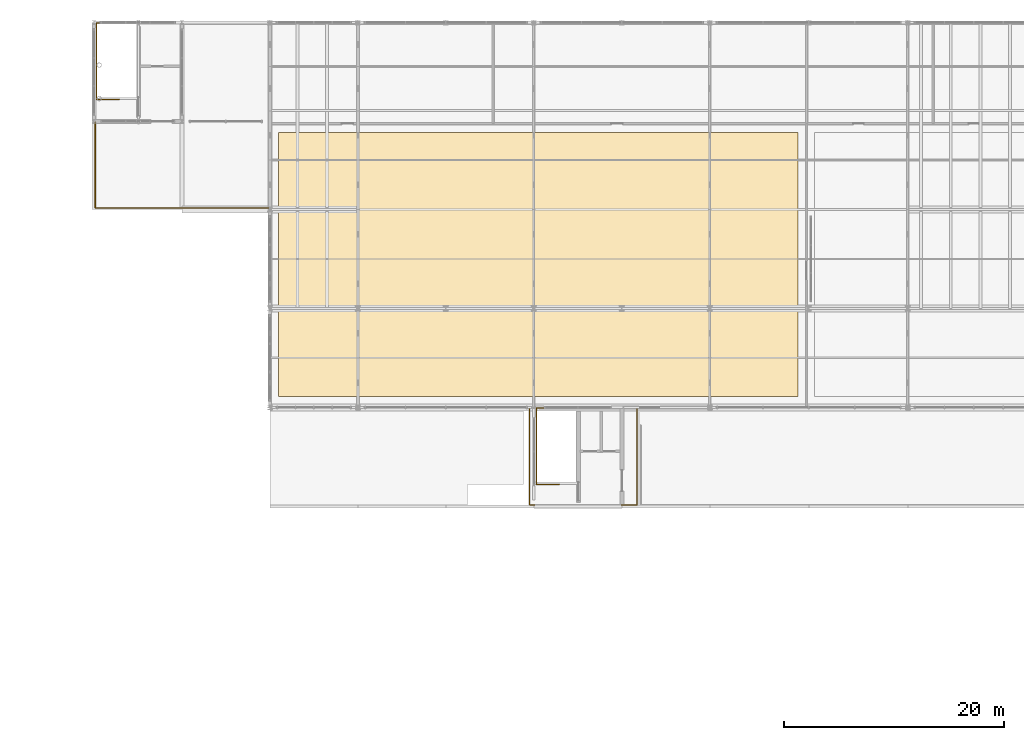
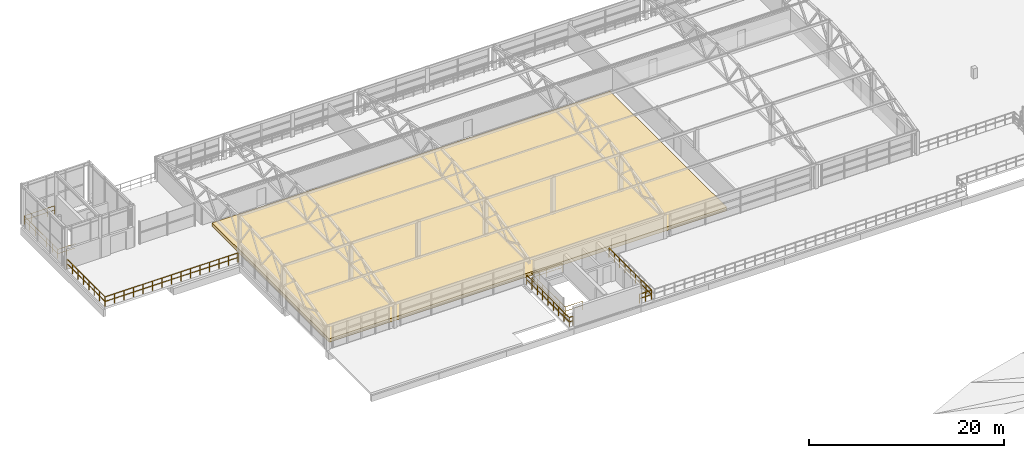
# One storey, part 44 of 50: 5 railings, 1 covering.
"""IFC4 building model written with IfcOpenShell, lengths in metres."""

from ifc_helpers import new_model, si_unit, derived_unit, direction, frame, origin, origin_2d, place, context, subcontext, project, spatial, polyline, circle, outline, extrude, material, layer, layer_set, type_object, element, save


model = new_model("IFC4")

# Units and contexts
model_context = context("Model", 3, precision=1e-05, world=origin(), true_north=direction((0.0, 1.0)))
body_context = subcontext(model_context, "Body", "Model", "MODEL_VIEW")
ifc_project = project(units=[si_unit("LENGTHUNIT", "METRE"), si_unit("AREAUNIT", "SQUARE_METRE"), si_unit("VOLUMEUNIT", "CUBIC_METRE"), si_unit("PLANEANGLEUNIT", "RADIAN"), si_unit("MASSUNIT", "GRAM", prefix="KILO"), si_unit("THERMODYNAMICTEMPERATUREUNIT", "KELVIN"), derived_unit("THERMALTRANSMITTANCEUNIT", [(si_unit("POWERUNIT", "WATT"), 1), (si_unit("AREAUNIT", "SQUARE_METRE"), -1), (si_unit("THERMODYNAMICTEMPERATUREUNIT", "KELVIN"), -1)])], contexts=[model_context])

# Site, building, storey
site_placement = place(None, origin())
site = spatial("IfcSite", under=ifc_project, at=site_placement, CompositionType="ELEMENT")
building_placement = place(site_placement, origin())
building = spatial("IfcBuilding", under=site, at=building_placement, Name="Haiyu Intermodal Mobility Hub", CompositionType="ELEMENT")
storey_placement = place(building_placement, frame((0.0, 0.0, 25.10009765625)))
storey = spatial("IfcBuildingStorey", under=building, at=storey_placement, Name="L06", CompositionType="ELEMENT", Elevation=25.10009765625)

# Covering
ifc_material_1 = material(Name="Planted bioretention substrate")
ifc_layer = layer(ifc_material_1, 0.449951171875)
ifc_layer_set = layer_set([ifc_layer], Name="Planted bioretention substrate")
covering_type = type_object("IfcCoveringType", Name="COV-CV05", PredefinedType="ROOFING", material=ifc_layer_set)
covering_placement = place(storey_placement, origin())
element("IfcCovering", 1, at=covering_placement, inside=storey, type_object=covering_type, Name="COV-FLR-006", PredefinedType="ROOFING", context=body_context, shape_type="SweptSolid", body=[
    extrude(outline(polyline([(38.800048828125, 114.0), (86.0, 114.0), (86.0, 138.0), (38.800048828125, 138.0), (38.800048828125, 114.0)])), origin(), (0.0, 0.0, 1.0), 0.449951171875),
])

# Railings
ifc_material_2 = material(Name="Steel Q355C", Category="steel")
railing_type_1 = type_object("IfcRailingType", Name="RAL-GR01", PredefinedType="GUARDRAIL", material=ifc_material_2)
railing_1_placement = place(storey_placement, frame((22.1201171875, 138.949951171875, 0.0)))
element("IfcRailing", 2, at=railing_1_placement, inside=storey, type_object=railing_type_1, Name="L06 Sports Pavilion Core C3 Access Wing Guard", PredefinedType="GUARDRAIL", context=body_context, shape_type="SweptSolid", body=[
    extrude(circle(Radius=0.02392578125, at=origin_2d()), frame((0.0, -0.030029296875, 1.17578125), z_axis=(0.0, -1.0, 0.0), x_axis=(1.0, 0.0, 0.0)), (0.0, 0.0, 1.0), 7.769775390625),
    extrude(circle(Radius=0.02392578125, at=origin_2d()), frame((0.0, -0.037353515625, 0.60009765625), z_axis=(0.0, -1.0, 0.0), x_axis=(1.0, 0.0, 0.0)), (0.0, 0.0, 1.0), 1.0439453125),
    extrude(circle(Radius=0.02392578125, at=origin_2d()), frame((0.0, -1.15576171875, 0.60009765625), z_axis=(0.0, -1.0, 0.0), x_axis=(1.0, 0.0, 0.0)), (0.0, 0.0, 1.0), 1.0439453125),
    extrude(circle(Radius=0.02392578125, at=origin_2d()), frame((0.0, -2.2744140625, 0.60009765625), z_axis=(0.0, -1.0, 0.0), x_axis=(1.0, 0.0, 0.0)), (0.0, 0.0, 1.0), 1.0439453125),
    extrude(circle(Radius=0.02392578125, at=origin_2d()), frame((0.0, -3.392822265625, 0.60009765625), z_axis=(0.0, -1.0, 0.0), x_axis=(1.0, 0.0, 0.0)), (0.0, 0.0, 1.0), 1.0439453125),
    extrude(circle(Radius=0.02392578125, at=origin_2d()), frame((0.0, -4.511474609375, 0.60009765625), z_axis=(0.0, -1.0, 0.0), x_axis=(1.0, 0.0, 0.0)), (0.0, 0.0, 1.0), 1.0439453125),
    extrude(circle(Radius=0.02392578125, at=origin_2d()), frame((0.0, -5.630126953125, 0.60009765625), z_axis=(0.0, -1.0, 0.0), x_axis=(1.0, 0.0, 0.0)), (0.0, 0.0, 1.0), 1.0439453125),
    extrude(circle(Radius=0.02392578125, at=origin_2d()), frame((0.0, -6.74853515625, 0.60009765625), z_axis=(0.0, -1.0, 0.0), x_axis=(1.0, 0.0, 0.0)), (0.0, 0.0, 1.0), 1.0439453125),
    extrude(circle(Radius=0.02392578125, at=origin_2d()), frame((0.030029296875, -7.829833984375, 1.17578125), z_axis=(1.0, 0.0, 0.0), x_axis=(0.0, 1.0, 0.0)), (0.0, 0.0, 1.0), 15.69970703125),
    extrude(circle(Radius=0.02392578125, at=origin_2d()), frame((0.037353515625, -7.829833984375, 0.60009765625), z_axis=(1.0, 0.0, 0.0), x_axis=(0.0, 1.0, 0.0)), (0.0, 0.0, 1.0), 1.051025390625),
    extrude(circle(Radius=0.02392578125, at=origin_2d()), frame((1.1630859375, -7.829833984375, 0.60009765625), z_axis=(1.0, 0.0, 0.0), x_axis=(0.0, 1.0, 0.0)), (0.0, 0.0, 1.0), 1.051025390625),
    extrude(circle(Radius=0.02392578125, at=origin_2d()), frame((2.28857421875, -7.829833984375, 0.60009765625), z_axis=(1.0, 0.0, 0.0), x_axis=(0.0, 1.0, 0.0)), (0.0, 0.0, 1.0), 1.051025390625),
    extrude(circle(Radius=0.02392578125, at=origin_2d()), frame((3.414306640625, -7.829833984375, 0.60009765625), z_axis=(1.0, 0.0, 0.0), x_axis=(0.0, 1.0, 0.0)), (0.0, 0.0, 1.0), 1.051025390625),
    extrude(circle(Radius=0.02392578125, at=origin_2d()), frame((4.5400390625, -7.829833984375, 0.60009765625), z_axis=(1.0, 0.0, 0.0), x_axis=(0.0, 1.0, 0.0)), (0.0, 0.0, 1.0), 1.051025390625),
    extrude(circle(Radius=0.02392578125, at=origin_2d()), frame((5.665771484375, -7.829833984375, 0.60009765625), z_axis=(1.0, 0.0, 0.0), x_axis=(0.0, 1.0, 0.0)), (0.0, 0.0, 1.0), 1.051025390625),
    extrude(circle(Radius=0.02392578125, at=origin_2d()), frame((6.79150390625, -7.829833984375, 0.60009765625), z_axis=(1.0, 0.0, 0.0), x_axis=(0.0, 1.0, 0.0)), (0.0, 0.0, 1.0), 1.051025390625),
    extrude(circle(Radius=0.02392578125, at=origin_2d()), frame((7.917236328125, -7.829833984375, 0.60009765625), z_axis=(1.0, 0.0, 0.0), x_axis=(0.0, 1.0, 0.0)), (0.0, 0.0, 1.0), 1.051025390625),
    extrude(circle(Radius=0.02392578125, at=origin_2d()), frame((9.04296875, -7.829833984375, 0.60009765625), z_axis=(1.0, 0.0, 0.0), x_axis=(0.0, 1.0, 0.0)), (0.0, 0.0, 1.0), 1.051025390625),
    extrude(circle(Radius=0.02392578125, at=origin_2d()), frame((10.16845703125, -7.829833984375, 0.60009765625), z_axis=(1.0, 0.0, 0.0), x_axis=(0.0, 1.0, 0.0)), (0.0, 0.0, 1.0), 1.051025390625),
    extrude(circle(Radius=0.02392578125, at=origin_2d()), frame((11.294189453125, -7.829833984375, 0.60009765625), z_axis=(1.0, 0.0, 0.0), x_axis=(0.0, 1.0, 0.0)), (0.0, 0.0, 1.0), 1.051025390625),
    extrude(circle(Radius=0.02392578125, at=origin_2d()), frame((12.419921875, -7.829833984375, 0.60009765625), z_axis=(1.0, 0.0, 0.0), x_axis=(0.0, 1.0, 0.0)), (0.0, 0.0, 1.0), 1.051025390625),
    extrude(circle(Radius=0.02392578125, at=origin_2d()), frame((13.545654296875, -7.829833984375, 0.60009765625), z_axis=(1.0, 0.0, 0.0), x_axis=(0.0, 1.0, 0.0)), (0.0, 0.0, 1.0), 1.051025390625),
    extrude(circle(Radius=0.02392578125, at=origin_2d()), frame((14.67138671875, -7.829833984375, 0.60009765625), z_axis=(1.0, 0.0, 0.0), x_axis=(0.0, 1.0, 0.0)), (0.0, 0.0, 1.0), 1.051025390625),
    extrude(circle(Radius=0.02099609375, at=origin_2d()), origin(), (0.0, 0.0, 1.0), 1.143798828125),
    extrude(circle(Radius=0.02099609375, at=origin_2d()), frame((0.0, -1.11865234375, 0.0)), (0.0, 0.0, 1.0), 1.143798828125),
    extrude(circle(Radius=0.02099609375, at=origin_2d()), frame((0.0, -2.237060546875, 0.0)), (0.0, 0.0, 1.0), 1.143798828125),
    extrude(circle(Radius=0.02099609375, at=origin_2d()), frame((0.0, -3.355712890625, 0.0)), (0.0, 0.0, 1.0), 1.143798828125),
    extrude(circle(Radius=0.02099609375, at=origin_2d()), frame((0.0, -4.47412109375, 0.0)), (0.0, 0.0, 1.0), 1.143798828125),
    extrude(circle(Radius=0.02099609375, at=origin_2d()), frame((0.0, -5.5927734375, 0.0)), (0.0, 0.0, 1.0), 1.143798828125),
    extrude(circle(Radius=0.02099609375, at=origin_2d()), frame((0.0, -6.711181640625, 0.0)), (0.0, 0.0, 1.0), 1.143798828125),
    extrude(circle(Radius=0.02099609375, at=origin_2d()), frame((0.0, -7.829833984375, 0.0)), (0.0, 0.0, 1.0), 1.143798828125),
    extrude(circle(Radius=0.02099609375, at=origin_2d()), frame((1.125732421875, -7.829833984375, 0.0)), (0.0, 0.0, 1.0), 1.143798828125),
    extrude(circle(Radius=0.02099609375, at=origin_2d()), frame((2.25146484375, -7.829833984375, 0.0)), (0.0, 0.0, 1.0), 1.143798828125),
    extrude(circle(Radius=0.02099609375, at=origin_2d()), frame((3.377197265625, -7.829833984375, 0.0)), (0.0, 0.0, 1.0), 1.143798828125),
    extrude(circle(Radius=0.02099609375, at=origin_2d()), frame((4.502685546875, -7.829833984375, 0.0)), (0.0, 0.0, 1.0), 1.143798828125),
    extrude(circle(Radius=0.02099609375, at=origin_2d()), frame((5.62841796875, -7.829833984375, 0.0)), (0.0, 0.0, 1.0), 1.143798828125),
    extrude(circle(Radius=0.02099609375, at=origin_2d()), frame((6.754150390625, -7.829833984375, 0.0)), (0.0, 0.0, 1.0), 1.143798828125),
    extrude(circle(Radius=0.02099609375, at=origin_2d()), frame((7.8798828125, -7.829833984375, 0.0)), (0.0, 0.0, 1.0), 1.143798828125),
    extrude(circle(Radius=0.02099609375, at=origin_2d()), frame((9.005615234375, -7.829833984375, 0.0)), (0.0, 0.0, 1.0), 1.143798828125),
    extrude(circle(Radius=0.02099609375, at=origin_2d()), frame((10.13134765625, -7.829833984375, 0.0)), (0.0, 0.0, 1.0), 1.143798828125),
    extrude(circle(Radius=0.02099609375, at=origin_2d()), frame((11.257080078125, -7.829833984375, 0.0)), (0.0, 0.0, 1.0), 1.143798828125),
    extrude(circle(Radius=0.02099609375, at=origin_2d()), frame((12.382568359375, -7.829833984375, 0.0)), (0.0, 0.0, 1.0), 1.143798828125),
    extrude(circle(Radius=0.02099609375, at=origin_2d()), frame((13.50830078125, -7.829833984375, 0.0)), (0.0, 0.0, 1.0), 1.143798828125),
    extrude(circle(Radius=0.02099609375, at=origin_2d()), frame((14.634033203125, -7.829833984375, 0.0)), (0.0, 0.0, 1.0), 1.143798828125),
    extrude(circle(Radius=0.02099609375, at=origin_2d()), frame((15.759765625, -7.829833984375, 0.0)), (0.0, 0.0, 1.0), 1.143798828125),
])
railing_type_2 = type_object("IfcRailingType", Name="RAL-GR02", PredefinedType="GUARDRAIL", material=ifc_material_2)
railing_2_placement = place(storey_placement, frame((61.6201171875, 112.8798828125, 0.0)))
element("IfcRailing", 3, at=railing_2_placement, inside=storey, type_object=railing_type_2, Name="L06 Core C5 West Terrace Guard", PredefinedType="GUARDRAIL", context=body_context, shape_type="SweptSolid", body=[
    extrude(circle(Radius=0.02392578125, at=origin_2d()), frame((0.0, -0.030029296875, 1.1259765625), z_axis=(0.0, -1.0, 0.0), x_axis=(1.0, 0.0, 0.0)), (0.0, 0.0, 1.0), 8.679931640625),
    extrude(circle(Radius=0.02392578125, at=origin_2d()), frame((0.0, -0.037353515625, 0.574951171875), z_axis=(0.0, -1.0, 0.0), x_axis=(1.0, 0.0, 0.0)), (0.0, 0.0, 1.0), 1.017822265625),
    extrude(circle(Radius=0.02392578125, at=origin_2d()), frame((0.0, -1.1298828125, 0.574951171875), z_axis=(0.0, -1.0, 0.0), x_axis=(1.0, 0.0, 0.0)), (0.0, 0.0, 1.0), 1.017822265625),
    extrude(circle(Radius=0.02392578125, at=origin_2d()), frame((0.0, -2.222412109375, 0.574951171875), z_axis=(0.0, -1.0, 0.0), x_axis=(1.0, 0.0, 0.0)), (0.0, 0.0, 1.0), 1.017822265625),
    extrude(circle(Radius=0.02392578125, at=origin_2d()), frame((0.0, -3.314697265625, 0.574951171875), z_axis=(0.0, -1.0, 0.0), x_axis=(1.0, 0.0, 0.0)), (0.0, 0.0, 1.0), 1.017822265625),
    extrude(circle(Radius=0.02392578125, at=origin_2d()), frame((0.0, -4.4072265625, 0.574951171875), z_axis=(0.0, -1.0, 0.0), x_axis=(1.0, 0.0, 0.0)), (0.0, 0.0, 1.0), 1.017822265625),
    extrude(circle(Radius=0.02392578125, at=origin_2d()), frame((0.0, -5.499755859375, 0.574951171875), z_axis=(0.0, -1.0, 0.0), x_axis=(1.0, 0.0, 0.0)), (0.0, 0.0, 1.0), 1.017822265625),
    extrude(circle(Radius=0.02392578125, at=origin_2d()), frame((0.0, -6.59228515625, 0.574951171875), z_axis=(0.0, -1.0, 0.0), x_axis=(1.0, 0.0, 0.0)), (0.0, 0.0, 1.0), 1.017822265625),
    extrude(circle(Radius=0.02392578125, at=origin_2d()), frame((0.0, -7.684814453125, 0.574951171875), z_axis=(0.0, -1.0, 0.0), x_axis=(1.0, 0.0, 0.0)), (0.0, 0.0, 1.0), 1.017822265625),
    extrude(circle(Radius=0.02392578125, at=origin_2d()), frame((0.030029296875, -8.739990234375, 1.1259765625), z_axis=(1.0, 0.0, 0.0), x_axis=(0.0, 1.0, 0.0)), (0.0, 0.0, 1.0), 0.369873046875),
    extrude(circle(Radius=0.02392578125, at=origin_2d()), frame((0.037353515625, -8.739990234375, 0.574951171875), z_axis=(1.0, 0.0, 0.0), x_axis=(0.0, 1.0, 0.0)), (0.0, 0.0, 1.0), 0.355224609375),
    extrude(circle(Radius=0.02099609375, at=origin_2d()), origin(), (0.0, 0.0, 1.0), 1.09375),
    extrude(circle(Radius=0.02099609375, at=origin_2d()), frame((0.0, -1.092529296875, 0.0)), (0.0, 0.0, 1.0), 1.09375),
    extrude(circle(Radius=0.02099609375, at=origin_2d()), frame((0.0, -2.18505859375, 0.0)), (0.0, 0.0, 1.0), 1.09375),
    extrude(circle(Radius=0.02099609375, at=origin_2d()), frame((0.0, -3.277587890625, 0.0)), (0.0, 0.0, 1.0), 1.09375),
    extrude(circle(Radius=0.02099609375, at=origin_2d()), frame((0.0, -4.3701171875, 0.0)), (0.0, 0.0, 1.0), 1.09375),
    extrude(circle(Radius=0.02099609375, at=origin_2d()), frame((0.0, -5.46240234375, 0.0)), (0.0, 0.0, 1.0), 1.09375),
    extrude(circle(Radius=0.02099609375, at=origin_2d()), frame((0.0, -6.554931640625, 0.0)), (0.0, 0.0, 1.0), 1.09375),
    extrude(circle(Radius=0.02099609375, at=origin_2d()), frame((0.0, -7.6474609375, 0.0)), (0.0, 0.0, 1.0), 1.09375),
    extrude(circle(Radius=0.02099609375, at=origin_2d()), frame((0.0, -8.739990234375, 0.0)), (0.0, 0.0, 1.0), 1.09375),
    extrude(circle(Radius=0.02099609375, at=origin_2d()), frame((0.429931640625, -8.739990234375, 0.0)), (0.0, 0.0, 1.0), 1.09375),
])
railing_3_placement = place(storey_placement, frame((69.949951171875, 104.139892578125, 0.0)))
element("IfcRailing", 4, at=railing_3_placement, inside=storey, type_object=railing_type_2, Name="L06 Core C5 East Terrace Guard", PredefinedType="GUARDRAIL", context=body_context, shape_type="SweptSolid", body=[
    extrude(circle(Radius=0.02392578125, at=origin_2d()), frame((0.030029296875, 0.0, 1.1259765625), z_axis=(1.0, 0.0, 0.0), x_axis=(0.0, 1.0, 0.0)), (0.0, 0.0, 1.0), 1.369873046875),
    extrude(circle(Radius=0.02392578125, at=origin_2d()), frame((0.037353515625, 0.0, 0.574951171875), z_axis=(1.0, 0.0, 0.0), x_axis=(0.0, 1.0, 0.0)), (0.0, 0.0, 1.0), 0.640380859375),
    extrude(circle(Radius=0.02392578125, at=origin_2d()), frame((0.752197265625, 0.0, 0.574951171875), z_axis=(1.0, 0.0, 0.0), x_axis=(0.0, 1.0, 0.0)), (0.0, 0.0, 1.0), 0.640380859375),
    extrude(circle(Radius=0.02392578125, at=origin_2d()), frame((1.429931640625, 0.030029296875, 1.1259765625), z_axis=(0.0, 1.0, 0.0), x_axis=(-1.0, 0.0, 0.0)), (0.0, 0.0, 1.0), 8.679931640625),
    extrude(circle(Radius=0.02392578125, at=origin_2d()), frame((1.429931640625, 0.037353515625, 0.574951171875), z_axis=(0.0, 1.0, 0.0), x_axis=(-1.0, 0.0, 0.0)), (0.0, 0.0, 1.0), 1.017822265625),
    extrude(circle(Radius=0.02392578125, at=origin_2d()), frame((1.429931640625, 1.1298828125, 0.574951171875), z_axis=(0.0, 1.0, 0.0), x_axis=(-1.0, 0.0, 0.0)), (0.0, 0.0, 1.0), 1.017822265625),
    extrude(circle(Radius=0.02392578125, at=origin_2d()), frame((1.429931640625, 2.222412109375, 0.574951171875), z_axis=(0.0, 1.0, 0.0), x_axis=(-1.0, 0.0, 0.0)), (0.0, 0.0, 1.0), 1.017822265625),
    extrude(circle(Radius=0.02392578125, at=origin_2d()), frame((1.429931640625, 3.314697265625, 0.574951171875), z_axis=(0.0, 1.0, 0.0), x_axis=(-1.0, 0.0, 0.0)), (0.0, 0.0, 1.0), 1.017822265625),
    extrude(circle(Radius=0.02392578125, at=origin_2d()), frame((1.429931640625, 4.4072265625, 0.574951171875), z_axis=(0.0, 1.0, 0.0), x_axis=(-1.0, 0.0, 0.0)), (0.0, 0.0, 1.0), 1.017822265625),
    extrude(circle(Radius=0.02392578125, at=origin_2d()), frame((1.429931640625, 5.499755859375, 0.574951171875), z_axis=(0.0, 1.0, 0.0), x_axis=(-1.0, 0.0, 0.0)), (0.0, 0.0, 1.0), 1.017822265625),
    extrude(circle(Radius=0.02392578125, at=origin_2d()), frame((1.429931640625, 6.59228515625, 0.574951171875), z_axis=(0.0, 1.0, 0.0), x_axis=(-1.0, 0.0, 0.0)), (0.0, 0.0, 1.0), 1.017822265625),
    extrude(circle(Radius=0.02392578125, at=origin_2d()), frame((1.429931640625, 7.684814453125, 0.574951171875), z_axis=(0.0, 1.0, 0.0), x_axis=(-1.0, 0.0, 0.0)), (0.0, 0.0, 1.0), 1.017822265625),
    extrude(circle(Radius=0.02099609375, at=origin_2d()), origin(), (0.0, 0.0, 1.0), 1.09375),
    extrude(circle(Radius=0.02099609375, at=origin_2d()), frame((0.71484375, 0.0, 0.0)), (0.0, 0.0, 1.0), 1.09375),
    extrude(circle(Radius=0.02099609375, at=origin_2d()), frame((1.429931640625, 0.0, 0.0)), (0.0, 0.0, 1.0), 1.09375),
    extrude(circle(Radius=0.02099609375, at=origin_2d()), frame((1.429931640625, 1.092529296875, 0.0)), (0.0, 0.0, 1.0), 1.09375),
    extrude(circle(Radius=0.02099609375, at=origin_2d()), frame((1.429931640625, 2.18505859375, 0.0)), (0.0, 0.0, 1.0), 1.09375),
    extrude(circle(Radius=0.02099609375, at=origin_2d()), frame((1.429931640625, 3.277587890625, 0.0)), (0.0, 0.0, 1.0), 1.09375),
    extrude(circle(Radius=0.02099609375, at=origin_2d()), frame((1.429931640625, 4.3701171875, 0.0)), (0.0, 0.0, 1.0), 1.09375),
    extrude(circle(Radius=0.02099609375, at=origin_2d()), frame((1.429931640625, 5.46240234375, 0.0)), (0.0, 0.0, 1.0), 1.09375),
    extrude(circle(Radius=0.02099609375, at=origin_2d()), frame((1.429931640625, 6.554931640625, 0.0)), (0.0, 0.0, 1.0), 1.09375),
    extrude(circle(Radius=0.02099609375, at=origin_2d()), frame((1.429931640625, 7.6474609375, 0.0)), (0.0, 0.0, 1.0), 1.09375),
    extrude(circle(Radius=0.02099609375, at=origin_2d()), frame((1.429931640625, 8.739990234375, 0.0)), (0.0, 0.0, 1.0), 1.09375),
])
railing_type_3 = type_object("IfcRailingType", Name="RAL-GR03", PredefinedType="GUARDRAIL", material=ifc_material_2)
railing_4_placement = place(storey_placement, frame((24.31005859375, 141.010009765625, 0.0)))
element("IfcRailing", 5, at=railing_4_placement, inside=storey, type_object=railing_type_3, Name="Stair Shaft Floor Guard STR-C3-L05", PredefinedType="GUARDRAIL", context=body_context, shape_type="SweptSolid", body=[
    extrude(circle(Radius=0.02392578125, at=origin_2d()), frame((-0.030029296875, 0.0, 1.09619140625), z_axis=(-1.0, 0.0, 0.0), x_axis=(0.0, -1.0, 0.0)), (0.0, 0.0, 1.0), 2.030029296875),
    extrude(circle(Radius=0.02392578125, at=origin_2d()), frame((-0.037353515625, 0.0, 0.56005859375), z_axis=(-1.0, 0.0, 0.0), x_axis=(0.0, -1.0, 0.0)), (0.0, 0.0, 1.0), 0.970458984375),
    extrude(circle(Radius=0.02392578125, at=origin_2d()), frame((-1.082275390625, 0.0, 0.56005859375), z_axis=(-1.0, 0.0, 0.0), x_axis=(0.0, -1.0, 0.0)), (0.0, 0.0, 1.0), 0.970458984375),
    extrude(circle(Radius=0.02392578125, at=origin_2d()), frame((-2.090087890625, 0.030029296875, 1.09619140625), z_axis=(0.0, 1.0, 0.0), x_axis=(-1.0, 0.0, 0.0)), (0.0, 0.0, 1.0), 6.8798828125),
    extrude(circle(Radius=0.02392578125, at=origin_2d()), frame((-2.090087890625, 0.037353515625, 0.56005859375), z_axis=(0.0, 1.0, 0.0), x_axis=(-1.0, 0.0, 0.0)), (0.0, 0.0, 1.0), 1.08203125),
    extrude(circle(Radius=0.02392578125, at=origin_2d()), frame((-2.090087890625, 1.19384765625, 0.56005859375), z_axis=(0.0, 1.0, 0.0), x_axis=(-1.0, 0.0, 0.0)), (0.0, 0.0, 1.0), 1.08203125),
    extrude(circle(Radius=0.02392578125, at=origin_2d()), frame((-2.090087890625, 2.3505859375, 0.56005859375), z_axis=(0.0, 1.0, 0.0), x_axis=(-1.0, 0.0, 0.0)), (0.0, 0.0, 1.0), 1.08203125),
    extrude(circle(Radius=0.02392578125, at=origin_2d()), frame((-2.090087890625, 3.50732421875, 0.56005859375), z_axis=(0.0, 1.0, 0.0), x_axis=(-1.0, 0.0, 0.0)), (0.0, 0.0, 1.0), 1.08203125),
    extrude(circle(Radius=0.02392578125, at=origin_2d()), frame((-2.090087890625, 4.663818359375, 0.56005859375), z_axis=(0.0, 1.0, 0.0), x_axis=(-1.0, 0.0, 0.0)), (0.0, 0.0, 1.0), 1.08203125),
    extrude(circle(Radius=0.02392578125, at=origin_2d()), frame((-2.090087890625, 5.820556640625, 0.56005859375), z_axis=(0.0, 1.0, 0.0), x_axis=(-1.0, 0.0, 0.0)), (0.0, 0.0, 1.0), 1.08203125),
    extrude(circle(Radius=0.02392578125, at=origin_2d()), frame((-2.06005859375, 6.93994140625, 1.09619140625), z_axis=(1.0, 0.0, 0.0), x_axis=(0.0, 1.0, 0.0)), (0.0, 0.0, 1.0), 3.590087890625),
    extrude(circle(Radius=0.02392578125, at=origin_2d()), frame((-2.052734375, 6.93994140625, 0.56005859375), z_axis=(1.0, 0.0, 0.0), x_axis=(0.0, 1.0, 0.0)), (0.0, 0.0, 1.0), 0.837890625),
    extrude(circle(Radius=0.02392578125, at=origin_2d()), frame((-1.14013671875, 6.93994140625, 0.56005859375), z_axis=(1.0, 0.0, 0.0), x_axis=(0.0, 1.0, 0.0)), (0.0, 0.0, 1.0), 0.837890625),
    extrude(circle(Radius=0.02392578125, at=origin_2d()), frame((-0.227783203125, 6.93994140625, 0.56005859375), z_axis=(1.0, 0.0, 0.0), x_axis=(0.0, 1.0, 0.0)), (0.0, 0.0, 1.0), 0.837890625),
    extrude(circle(Radius=0.02392578125, at=origin_2d()), frame((0.684814453125, 6.93994140625, 0.56005859375), z_axis=(1.0, 0.0, 0.0), x_axis=(0.0, 1.0, 0.0)), (0.0, 0.0, 1.0), 0.837890625),
    extrude(circle(Radius=0.02099609375, at=origin_2d()), origin(), (0.0, 0.0, 1.0), 1.06396484375),
    extrude(circle(Radius=0.02099609375, at=origin_2d()), frame((-1.044921875, 0.0, 0.0)), (0.0, 0.0, 1.0), 1.06396484375),
    extrude(circle(Radius=0.02099609375, at=origin_2d()), frame((-2.090087890625, 0.0, 0.0)), (0.0, 0.0, 1.0), 1.06396484375),
    extrude(circle(Radius=0.02099609375, at=origin_2d()), frame((-2.090087890625, 1.15673828125, 0.0)), (0.0, 0.0, 1.0), 1.06396484375),
    extrude(circle(Radius=0.02099609375, at=origin_2d()), frame((-2.090087890625, 2.313232421875, 0.0)), (0.0, 0.0, 1.0), 1.06396484375),
    extrude(circle(Radius=0.02099609375, at=origin_2d()), frame((-2.090087890625, 3.469970703125, 0.0)), (0.0, 0.0, 1.0), 1.06396484375),
    extrude(circle(Radius=0.02099609375, at=origin_2d()), frame((-2.090087890625, 4.626708984375, 0.0)), (0.0, 0.0, 1.0), 1.06396484375),
    extrude(circle(Radius=0.02099609375, at=origin_2d()), frame((-2.090087890625, 5.783203125, 0.0)), (0.0, 0.0, 1.0), 1.06396484375),
    extrude(circle(Radius=0.02099609375, at=origin_2d()), frame((-2.090087890625, 6.93994140625, 0.0)), (0.0, 0.0, 1.0), 1.06396484375),
    extrude(circle(Radius=0.02099609375, at=origin_2d()), frame((-1.177490234375, 6.93994140625, 0.0)), (0.0, 0.0, 1.0), 1.06396484375),
    extrude(circle(Radius=0.02099609375, at=origin_2d()), frame((-0.26513671875, 6.93994140625, 0.0)), (0.0, 0.0, 1.0), 1.06396484375),
    extrude(circle(Radius=0.02099609375, at=origin_2d()), frame((0.6474609375, 6.93994140625, 0.0)), (0.0, 0.0, 1.0), 1.06396484375),
    extrude(circle(Radius=0.02099609375, at=origin_2d()), frame((1.56005859375, 6.93994140625, 0.0)), (0.0, 0.0, 1.0), 1.06396484375),
])
railing_5_placement = place(storey_placement, frame((64.31005859375, 106.010009765625, 0.0)))
element("IfcRailing", 6, at=railing_5_placement, inside=storey, type_object=railing_type_3, Name="Stair Shaft Floor Guard STR-C5-L05", PredefinedType="GUARDRAIL", context=body_context, shape_type="SweptSolid", body=[
    extrude(circle(Radius=0.02392578125, at=origin_2d()), frame((-0.030029296875, 0.0, 1.09619140625), z_axis=(-1.0, 0.0, 0.0), x_axis=(0.0, -1.0, 0.0)), (0.0, 0.0, 1.0), 2.030029296875),
    extrude(circle(Radius=0.02392578125, at=origin_2d()), frame((-0.037353515625, 0.0, 0.56005859375), z_axis=(-1.0, 0.0, 0.0), x_axis=(0.0, -1.0, 0.0)), (0.0, 0.0, 1.0), 0.970458984375),
    extrude(circle(Radius=0.02392578125, at=origin_2d()), frame((-1.082275390625, 0.0, 0.56005859375), z_axis=(-1.0, 0.0, 0.0), x_axis=(0.0, -1.0, 0.0)), (0.0, 0.0, 1.0), 0.970458984375),
    extrude(circle(Radius=0.02392578125, at=origin_2d()), frame((-2.090087890625, 0.030029296875, 1.09619140625), z_axis=(0.0, 1.0, 0.0), x_axis=(-1.0, 0.0, 0.0)), (0.0, 0.0, 1.0), 6.8798828125),
    extrude(circle(Radius=0.02392578125, at=origin_2d()), frame((-2.090087890625, 0.037353515625, 0.56005859375), z_axis=(0.0, 1.0, 0.0), x_axis=(-1.0, 0.0, 0.0)), (0.0, 0.0, 1.0), 1.08203125),
    extrude(circle(Radius=0.02392578125, at=origin_2d()), frame((-2.090087890625, 1.19384765625, 0.56005859375), z_axis=(0.0, 1.0, 0.0), x_axis=(-1.0, 0.0, 0.0)), (0.0, 0.0, 1.0), 1.08203125),
    extrude(circle(Radius=0.02392578125, at=origin_2d()), frame((-2.090087890625, 2.3505859375, 0.56005859375), z_axis=(0.0, 1.0, 0.0), x_axis=(-1.0, 0.0, 0.0)), (0.0, 0.0, 1.0), 1.08203125),
    extrude(circle(Radius=0.02392578125, at=origin_2d()), frame((-2.090087890625, 3.50732421875, 0.56005859375), z_axis=(0.0, 1.0, 0.0), x_axis=(-1.0, 0.0, 0.0)), (0.0, 0.0, 1.0), 1.08203125),
    extrude(circle(Radius=0.02392578125, at=origin_2d()), frame((-2.090087890625, 4.663818359375, 0.56005859375), z_axis=(0.0, 1.0, 0.0), x_axis=(-1.0, 0.0, 0.0)), (0.0, 0.0, 1.0), 1.08203125),
    extrude(circle(Radius=0.02392578125, at=origin_2d()), frame((-2.090087890625, 5.820556640625, 0.56005859375), z_axis=(0.0, 1.0, 0.0), x_axis=(-1.0, 0.0, 0.0)), (0.0, 0.0, 1.0), 1.08203125),
    extrude(circle(Radius=0.02392578125, at=origin_2d()), frame((-2.06005859375, 6.93994140625, 1.09619140625), z_axis=(1.0, 0.0, 0.0), x_axis=(0.0, 1.0, 0.0)), (0.0, 0.0, 1.0), 3.590087890625),
    extrude(circle(Radius=0.02392578125, at=origin_2d()), frame((-2.052734375, 6.93994140625, 0.56005859375), z_axis=(1.0, 0.0, 0.0), x_axis=(0.0, 1.0, 0.0)), (0.0, 0.0, 1.0), 0.837890625),
    extrude(circle(Radius=0.02392578125, at=origin_2d()), frame((-1.14013671875, 6.93994140625, 0.56005859375), z_axis=(1.0, 0.0, 0.0), x_axis=(0.0, 1.0, 0.0)), (0.0, 0.0, 1.0), 0.837890625),
    extrude(circle(Radius=0.02392578125, at=origin_2d()), frame((-0.227783203125, 6.93994140625, 0.56005859375), z_axis=(1.0, 0.0, 0.0), x_axis=(0.0, 1.0, 0.0)), (0.0, 0.0, 1.0), 0.837890625),
    extrude(circle(Radius=0.02392578125, at=origin_2d()), frame((0.684814453125, 6.93994140625, 0.56005859375), z_axis=(1.0, 0.0, 0.0), x_axis=(0.0, 1.0, 0.0)), (0.0, 0.0, 1.0), 0.837890625),
    extrude(circle(Radius=0.02099609375, at=origin_2d()), origin(), (0.0, 0.0, 1.0), 1.06396484375),
    extrude(circle(Radius=0.02099609375, at=origin_2d()), frame((-1.044921875, 0.0, 0.0)), (0.0, 0.0, 1.0), 1.06396484375),
    extrude(circle(Radius=0.02099609375, at=origin_2d()), frame((-2.090087890625, 0.0, 0.0)), (0.0, 0.0, 1.0), 1.06396484375),
    extrude(circle(Radius=0.02099609375, at=origin_2d()), frame((-2.090087890625, 1.15673828125, 0.0)), (0.0, 0.0, 1.0), 1.06396484375),
    extrude(circle(Radius=0.02099609375, at=origin_2d()), frame((-2.090087890625, 2.313232421875, 0.0)), (0.0, 0.0, 1.0), 1.06396484375),
    extrude(circle(Radius=0.02099609375, at=origin_2d()), frame((-2.090087890625, 3.469970703125, 0.0)), (0.0, 0.0, 1.0), 1.06396484375),
    extrude(circle(Radius=0.02099609375, at=origin_2d()), frame((-2.090087890625, 4.626708984375, 0.0)), (0.0, 0.0, 1.0), 1.06396484375),
    extrude(circle(Radius=0.02099609375, at=origin_2d()), frame((-2.090087890625, 5.783203125, 0.0)), (0.0, 0.0, 1.0), 1.06396484375),
    extrude(circle(Radius=0.02099609375, at=origin_2d()), frame((-2.090087890625, 6.93994140625, 0.0)), (0.0, 0.0, 1.0), 1.06396484375),
    extrude(circle(Radius=0.02099609375, at=origin_2d()), frame((-1.177490234375, 6.93994140625, 0.0)), (0.0, 0.0, 1.0), 1.06396484375),
    extrude(circle(Radius=0.02099609375, at=origin_2d()), frame((-0.26513671875, 6.93994140625, 0.0)), (0.0, 0.0, 1.0), 1.06396484375),
    extrude(circle(Radius=0.02099609375, at=origin_2d()), frame((0.6474609375, 6.93994140625, 0.0)), (0.0, 0.0, 1.0), 1.06396484375),
    extrude(circle(Radius=0.02099609375, at=origin_2d()), frame((1.56005859375, 6.93994140625, 0.0)), (0.0, 0.0, 1.0), 1.06396484375),
])

save(model, "model.ifc")
